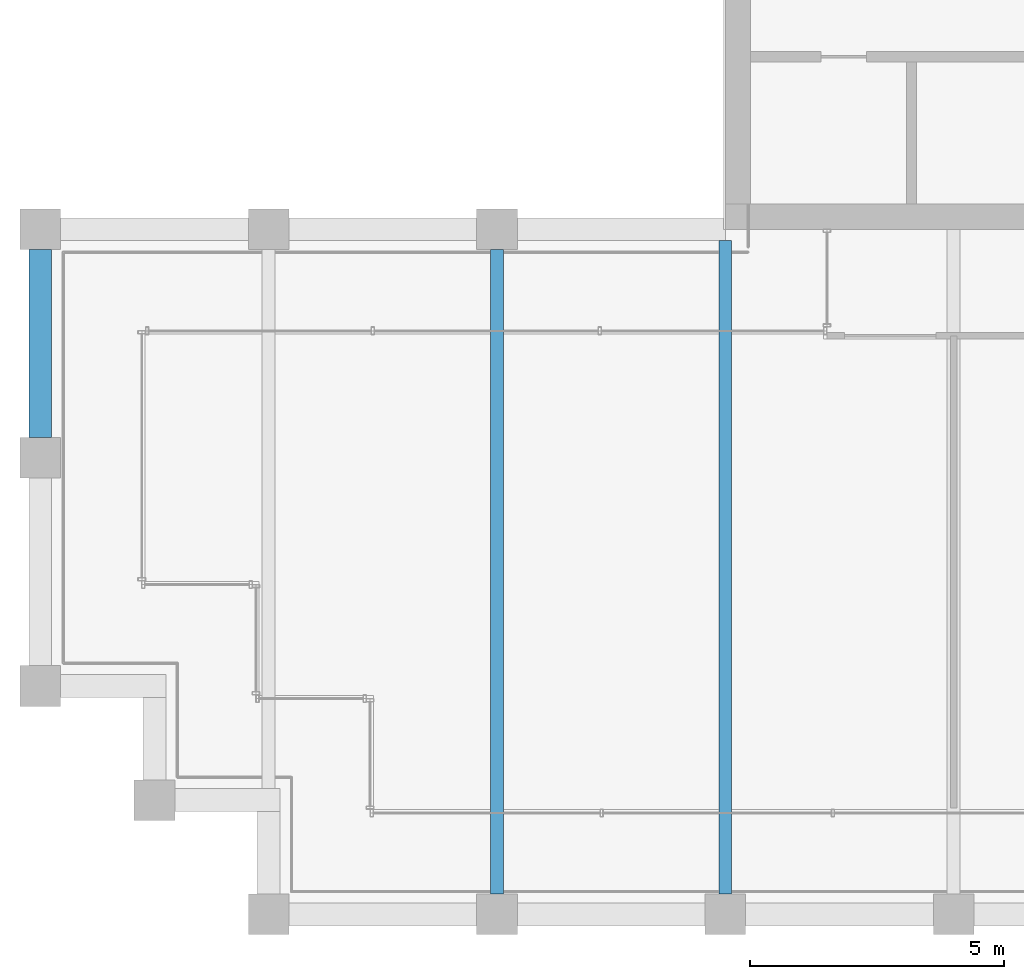
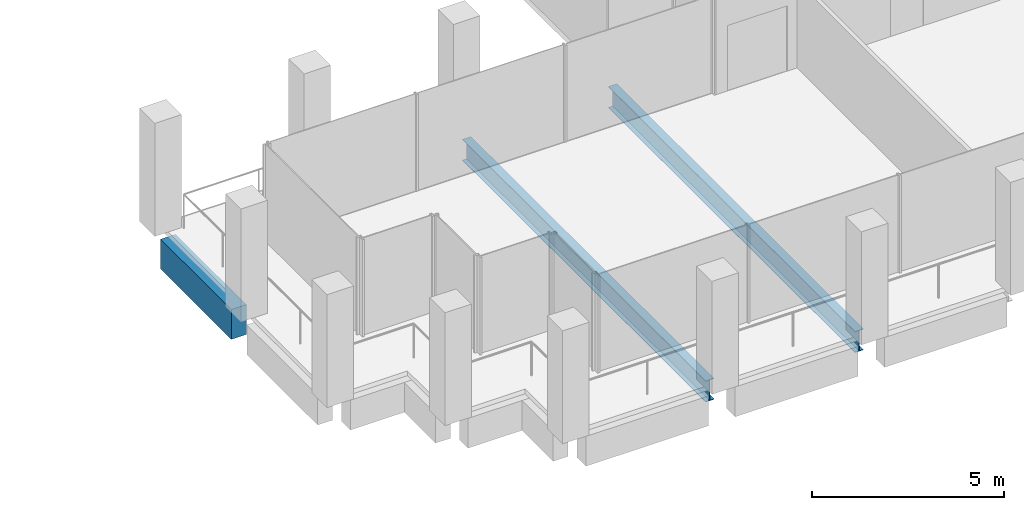
# One storey, part 4 of 30: 3 beams.
"""IFC4 building model written with IfcOpenShell, lengths in metres."""

from ifc_helpers import new_model, si_unit, direction, frame, origin, origin_2d, place, context, subcontext, project, spatial, rectangle, i_section, extrude, material, material_profile, profile_set, type_object, element, save


model = new_model("IFC4")

# Units and contexts
model_context = context("Model", 3, precision=1e-05, world=origin(), true_north=direction((0.0, 1.0)))
body_context = subcontext(model_context, "Body", "Model", "MODEL_VIEW")
ifc_project = project(units=[si_unit("LENGTHUNIT", "METRE"), si_unit("AREAUNIT", "SQUARE_METRE"), si_unit("VOLUMEUNIT", "CUBIC_METRE"), si_unit("PLANEANGLEUNIT", "RADIAN"), si_unit("MASSUNIT", "GRAM", prefix="KILO")], contexts=[model_context])

# Site, building, storey
site_placement = place(None, origin())
site = spatial("IfcSite", under=ifc_project, at=site_placement, CompositionType="ELEMENT")
building_placement = place(site_placement, origin())
building = spatial("IfcBuilding", under=site, at=building_placement, Name="Altepetl Exchange Towers", CompositionType="ELEMENT")
storey_placement = place(building_placement, frame((0.0, 0.0, 217.199951171875)))
storey = spatial("IfcBuildingStorey", under=building, at=storey_placement, Name="L55", CompositionType="ELEMENT", Elevation=217.199951171875)

# Beams
ifc_material_1 = material(Name="Steel S355", Category="steel")
ifc_material_profile_1 = material_profile(ifc_material_1, i_section(OverallWidth=0.2529296875, OverallDepth=0.677978515625, WebThickness=0.01171875, FlangeThickness=0.016357421875, at=origin_2d()), Name="W27X84")
ifc_profile_set_1 = profile_set([ifc_material_profile_1], Name="Steel S355")
beam_type_1 = type_object("IfcBeamType", Name="Floor beam W27X84", PredefinedType="BEAM", material=ifc_profile_set_1)
beam_1_placement = place(storey_placement, frame((36.0, 27.39990234375, -0.489013671875), z_axis=(0.0, 1.0, 0.0), x_axis=(-1.0, 0.0, 0.0)))
element("IfcBeam", 1, at=beam_1_placement, inside=storey, type_object=beam_type_1, Name="bm:A:L55:013", PredefinedType="BEAM", context=body_context, shape_type="SweptSolid", body=[
    extrude(i_section(OverallWidth=0.2529296875, OverallDepth=0.677978515625, WebThickness=0.01171875, FlangeThickness=0.016357421875, at=origin_2d()), origin(), (0.0, 0.0, 1.0), 12.7001953125),
])
beam_2_placement = place(storey_placement, frame((40.5, 27.39990234375, -0.489013671875), z_axis=(0.0, 1.0, 0.0), x_axis=(-1.0, 0.0, 0.0)))
element("IfcBeam", 2, at=beam_2_placement, inside=storey, type_object=beam_type_1, Name="bm:A:L55:014", PredefinedType="BEAM", context=body_context, shape_type="SweptSolid", body=[
    extrude(i_section(OverallWidth=0.2529296875, OverallDepth=0.677978515625, WebThickness=0.01171875, FlangeThickness=0.016357421875, at=origin_2d()), origin(), (0.0, 0.0, 1.0), 12.875),
])
ifc_material_2 = material(Name="Concrete C50/60 precast with cantera blanca facing", Category="concrete")
ifc_material_profile_2 = material_profile(ifc_material_2, rectangle(XDim=0.449951171875, YDim=0.949951171875, at=origin_2d()), Name="450 x 950")
ifc_profile_set_2 = profile_set([ifc_material_profile_2], Name="Concrete C50/60 precast with cantera blanca facing")
beam_type_2 = type_object("IfcBeamType", Name="Spandrel beam 450x950 cantera blanca", PredefinedType="SPANDREL", material=ifc_profile_set_2)
beam_3_placement = place(storey_placement, frame((27.0, 40.10009765625, -0.625), z_axis=(0.0, -1.0, 0.0), x_axis=(1.0, 0.0, 0.0)))
element("IfcBeam", 3, at=beam_3_placement, inside=storey, type_object=beam_type_2, Name="sp:A:L55:036", PredefinedType="SPANDREL", context=body_context, shape_type="SweptSolid", body=[
    extrude(rectangle(XDim=0.449951171875, YDim=0.949951171875, at=origin_2d()), origin(), (0.0, 0.0, 1.0), 3.7001953125),
])

save(model, "model.ifc")
